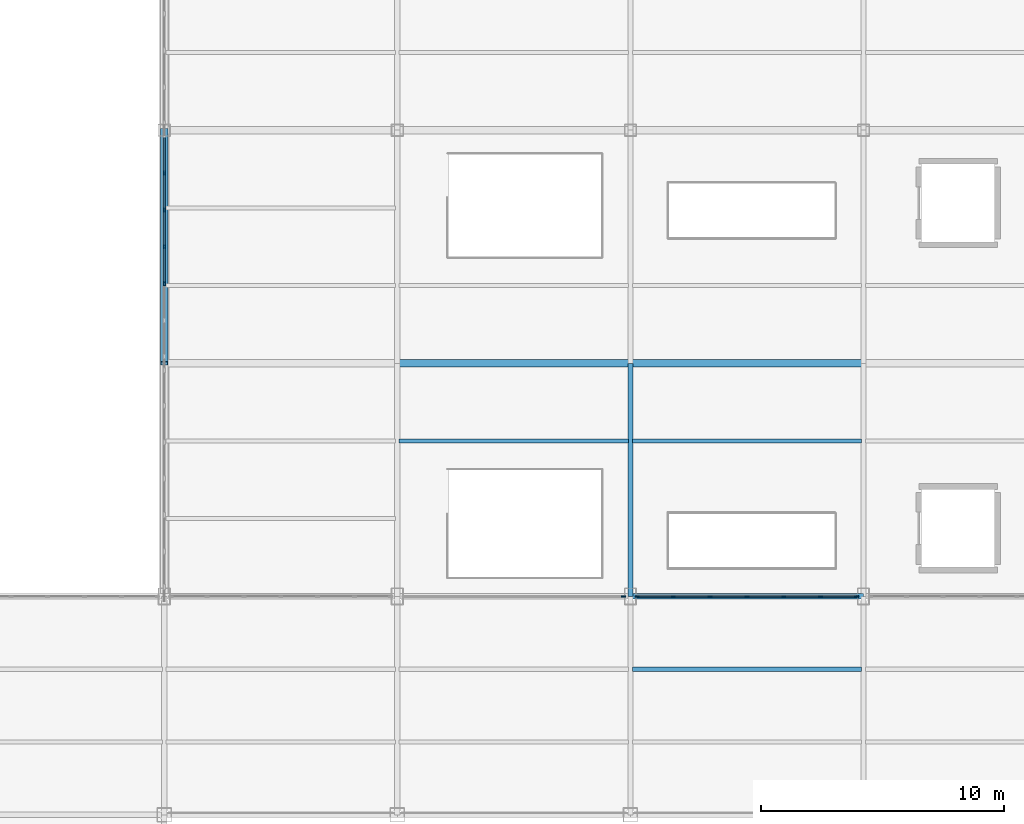
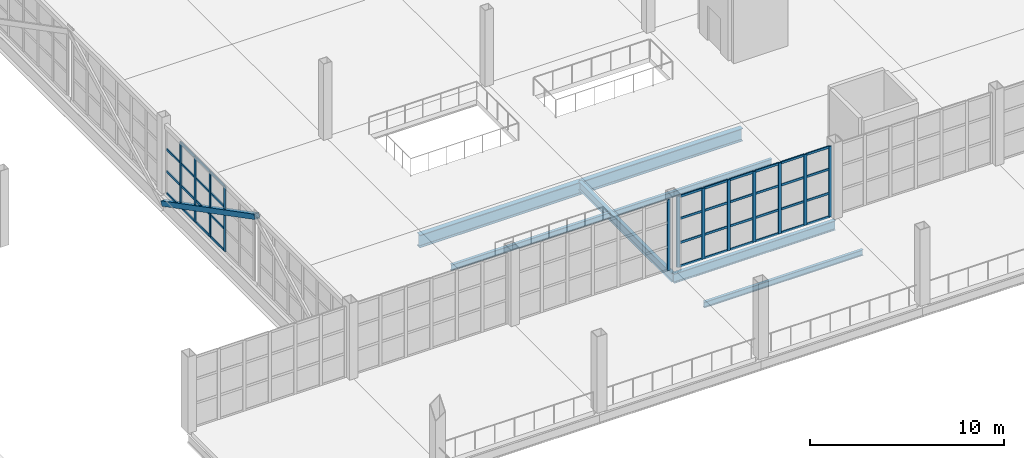
# One storey, part 44 of 120: 52 members, 7 beams, 3 elements without a shape of their own.
"""IFC4 building model written with IfcOpenShell, lengths in metres."""

from ifc_helpers import new_model, si_unit, direction, frame, origin, origin_2d, place, context, subcontext, project, spatial, rectangle, hollow_rectangle, i_section, extrude, material, layer, layer_set, material_profile, profile_set, type_object, element, aggregate, save


model = new_model("IFC4")

# Units and contexts
model_context = context("Model", 3, precision=1e-05, world=origin(), true_north=direction((0.0, 1.0)))
body_context = subcontext(model_context, "Body", "Model", "MODEL_VIEW")
ifc_project = project(units=[si_unit("LENGTHUNIT", "METRE"), si_unit("AREAUNIT", "SQUARE_METRE"), si_unit("VOLUMEUNIT", "CUBIC_METRE"), si_unit("PLANEANGLEUNIT", "RADIAN"), si_unit("MASSUNIT", "GRAM", prefix="KILO")], contexts=[model_context])

# Site, building, storey
site_placement = place(None, origin())
site = spatial("IfcSite", under=ifc_project, at=site_placement, CompositionType="ELEMENT")
building_placement = place(site_placement, origin())
building = spatial("IfcBuilding", under=site, at=building_placement, Name="Zarnetskaya Central Station", CompositionType="ELEMENT")
storey_placement = place(building_placement, frame((0.0, 0.0, 5.39990234375)))
storey = spatial("IfcBuildingStorey", under=building, at=storey_placement, Name="L01", CompositionType="ELEMENT", Elevation=5.39990234375)

# Beams
ifc_material_1 = material(Name="Steel S355", Category="steel")
ifc_material_profile_1 = material_profile(ifc_material_1, i_section(OverallWidth=0.169921875, OverallDepth=0.360107421875, WebThickness=0.008056640625, FlangeThickness=0.0126953125, FilletRadius=0.01806640625, at=origin_2d()), Name="IPE 360")
ifc_profile_set_1 = profile_set([ifc_material_profile_1], Name="Steel S355")
beam_type_1 = type_object("IfcBeamType", Name="BM-SEC-360", PredefinedType="BEAM", material=ifc_profile_set_1)
beam_1_placement = place(storey_placement, frame((86.47998046875, 64.199951171875, -0.4599609375), z_axis=(1.0, 0.0, 0.0), x_axis=(0.0, 1.0, 0.0)))
element("IfcBeam", 1, at=beam_1_placement, inside=storey, type_object=beam_type_1, Name="Secondary floor beam SEC-L01-Z512-KL-89-2", PredefinedType="BEAM", context=body_context, shape_type="SweptSolid", body=[
    extrude(i_section(OverallWidth=0.169921875, OverallDepth=0.360107421875, WebThickness=0.008056640625, FlangeThickness=0.0126953125, FilletRadius=0.01806640625, at=origin_2d()), origin(), (0.0, 0.0, 1.0), 9.43994140625),
])
beam_2_placement = place(storey_placement, frame((76.8798828125, 73.60009765625, -0.4599609375), z_axis=(1.0, 0.0, 0.0), x_axis=(0.0, 1.0, 0.0)))
element("IfcBeam", 2, at=beam_2_placement, inside=storey, type_object=beam_type_1, Name="Secondary floor beam SEC-L01-Z512-JK-910-2", PredefinedType="BEAM", context=body_context, shape_type="SweptSolid", body=[
    extrude(i_section(OverallWidth=0.169921875, OverallDepth=0.360107421875, WebThickness=0.008056640625, FlangeThickness=0.0126953125, FilletRadius=0.01806640625, at=origin_2d()), origin(), (0.0, 0.0, 1.0), 9.440185546875),
])
beam_3_placement = place(storey_placement, frame((86.47998046875, 73.60009765625, -0.4599609375), z_axis=(1.0, 0.0, 0.0), x_axis=(0.0, 1.0, 0.0)))
element("IfcBeam", 3, at=beam_3_placement, inside=storey, type_object=beam_type_1, Name="Secondary floor beam SEC-L01-Z512-KL-910-2", PredefinedType="BEAM", context=body_context, shape_type="SweptSolid", body=[
    extrude(i_section(OverallWidth=0.169921875, OverallDepth=0.360107421875, WebThickness=0.008056640625, FlangeThickness=0.0126953125, FilletRadius=0.01806640625, at=origin_2d()), origin(), (0.0, 0.0, 1.0), 9.43994140625),
])

# Curtain wall, member
ifc_material_2 = material(Name="Low-E insulated glass", Category="glass")
ifc_layer_1 = layer(ifc_material_2, 0.16796875, Name="Low-E insulated glass", Category="glass")
ifc_layer_set_1 = layer_set([ifc_layer_1], Name="Low-E insulated glass")
curtain_wall_type_1 = type_object("IfcCurtainWallType", Name="CW-SYS-13", PredefinedType="USERDEFINED", material=ifc_layer_set_1)
curtain_wall_1_placement = place(storey_placement, origin())
curtain_wall_1 = element("IfcCurtainWall", 4, at=curtain_wall_1_placement, inside=storey, type_object=curtain_wall_type_1, Name="Curtain wall CW-L01-079", ObjectType="CURTAIN WALL", PredefinedType="USERDEFINED")
ifc_material_3 = material(Name="Anodised aluminium", Category="aluminium")
ifc_material_profile_2 = material_profile(ifc_material_3, rectangle(XDim=0.070068359375, YDim=0.179931640625, at=origin_2d()), Name="ALU MULL 70x180")
ifc_profile_set_2 = profile_set([ifc_material_profile_2], Name="Anodised aluminium")
member_type_1 = type_object("IfcMemberType", Name="CW-MULL-180", PredefinedType="MULLION", material=ifc_profile_set_2)
member_1_placement = place(storey_placement, frame((86.114990234375, 67.199951171875, 0.0), z_axis=(0.0, 0.0, 1.0), x_axis=(0.0, 1.0, 0.0)))
member_1 = element("IfcMember", 5, at=member_1_placement, type_object=member_type_1, Name="CW-04 mullion 7", PredefinedType="MULLION", context=body_context, shape_type="SweptSolid", body=[
    extrude(rectangle(XDim=0.070068359375, YDim=0.179931640625, at=origin_2d()), origin(), (0.0, 0.0, 1.0), 4.4501953125),
])
aggregate(curtain_wall_1, [member_1])

# Curtain wall, members
ifc_layer_2 = layer(ifc_material_2, 0.172119140625, Name="Low-E insulated glass", Category="glass")
ifc_layer_set_2 = layer_set([ifc_layer_2], Name="Low-E insulated glass")
curtain_wall_type_2 = type_object("IfcCurtainWallType", Name="CW-SYS-14", PredefinedType="USERDEFINED", material=ifc_layer_set_2)
curtain_wall_2_placement = place(storey_placement, origin())
curtain_wall_2 = element("IfcCurtainWall", 6, at=curtain_wall_2_placement, inside=storey, type_object=curtain_wall_type_2, Name="Curtain wall CW-L01-081", ObjectType="CURTAIN WALL", PredefinedType="USERDEFINED")
member_2_placement = place(storey_placement, frame((86.68505859375, 67.199951171875, 0.0), z_axis=(0.0, 0.0, 1.0), x_axis=(0.0, 1.0, 0.0)))
member_2 = element("IfcMember", 7, at=member_2_placement, type_object=member_type_1, Name="CW-17 mullion 1", PredefinedType="MULLION", context=body_context, shape_type="SweptSolid", body=[
    extrude(rectangle(XDim=0.070068359375, YDim=0.179931640625, at=origin_2d()), origin(), (0.0, 0.0, 1.0), 4.4501953125),
])
member_3_placement = place(storey_placement, frame((88.166748046875, 67.199951171875, 0.0), z_axis=(0.0, 0.0, 1.0), x_axis=(0.0, 1.0, 0.0)))
member_3 = element("IfcMember", 8, at=member_3_placement, type_object=member_type_1, Name="CW-17 mullion 2", PredefinedType="MULLION", context=body_context, shape_type="SweptSolid", body=[
    extrude(rectangle(XDim=0.070068359375, YDim=0.179931640625, at=origin_2d()), origin(), (0.0, 0.0, 1.0), 4.4501953125),
])
member_4_placement = place(storey_placement, frame((89.683349609375, 67.199951171875, 0.0), z_axis=(0.0, 0.0, 1.0), x_axis=(0.0, 1.0, 0.0)))
member_4 = element("IfcMember", 9, at=member_4_placement, type_object=member_type_1, Name="CW-17 mullion 3", PredefinedType="MULLION", context=body_context, shape_type="SweptSolid", body=[
    extrude(rectangle(XDim=0.070068359375, YDim=0.179931640625, at=origin_2d()), origin(), (0.0, 0.0, 1.0), 4.4501953125),
])
member_5_placement = place(storey_placement, frame((91.199951171875, 67.199951171875, 0.0), z_axis=(0.0, 0.0, 1.0), x_axis=(0.0, 1.0, 0.0)))
member_5 = element("IfcMember", 10, at=member_5_placement, type_object=member_type_1, Name="CW-17 mullion 4", PredefinedType="MULLION", context=body_context, shape_type="SweptSolid", body=[
    extrude(rectangle(XDim=0.070068359375, YDim=0.179931640625, at=origin_2d()), origin(), (0.0, 0.0, 1.0), 4.4501953125),
])
member_6_placement = place(storey_placement, frame((92.716552734375, 67.199951171875, 0.0), z_axis=(0.0, 0.0, 1.0), x_axis=(0.0, 1.0, 0.0)))
member_6 = element("IfcMember", 11, at=member_6_placement, type_object=member_type_1, Name="CW-17 mullion 5", PredefinedType="MULLION", context=body_context, shape_type="SweptSolid", body=[
    extrude(rectangle(XDim=0.070068359375, YDim=0.179931640625, at=origin_2d()), origin(), (0.0, 0.0, 1.0), 4.4501953125),
])
member_7_placement = place(storey_placement, frame((94.2333984375, 67.199951171875, 0.0), z_axis=(0.0, 0.0, 1.0), x_axis=(0.0, 1.0, 0.0)))
member_7 = element("IfcMember", 12, at=member_7_placement, type_object=member_type_1, Name="CW-17 mullion 6", PredefinedType="MULLION", context=body_context, shape_type="SweptSolid", body=[
    extrude(rectangle(XDim=0.070068359375, YDim=0.179931640625, at=origin_2d()), origin(), (0.0, 0.0, 1.0), 4.4501953125),
])
member_8_placement = place(storey_placement, frame((95.715087890625, 67.199951171875, 0.0), z_axis=(0.0, 0.0, 1.0), x_axis=(0.0, 1.0, 0.0)))
member_8 = element("IfcMember", 13, at=member_8_placement, type_object=member_type_1, Name="CW-17 mullion 7", PredefinedType="MULLION", context=body_context, shape_type="SweptSolid", body=[
    extrude(rectangle(XDim=0.070068359375, YDim=0.179931640625, at=origin_2d()), origin(), (0.0, 0.0, 1.0), 4.4501953125),
])

ifc_layer_3 = layer(ifc_material_2, 0.172119140625, Name="Low-E insulated glass", Category="glass")
ifc_layer_set_3 = layer_set([ifc_layer_3], Name="Low-E insulated glass")
curtain_wall_type_3 = type_object("IfcCurtainWallType", Name="CW-SYS-09", PredefinedType="USERDEFINED", material=ifc_layer_set_3)
curtain_wall_3_placement = place(storey_placement, origin())
curtain_wall_3 = element("IfcCurtainWall", 14, at=curtain_wall_3_placement, inside=storey, type_object=curtain_wall_type_3, Name="Curtain wall CW-L01-147", ObjectType="CURTAIN WALL", PredefinedType="USERDEFINED")
member_9_placement = place(storey_placement, frame((67.199951171875, 80.083251953125, 0.0), z_axis=(0.0, 0.0, 1.0), x_axis=(-1.0, 0.0, 0.0)))
member_9 = element("IfcMember", 15, at=member_9_placement, type_object=member_type_1, Name="CW-07 mullion 3", PredefinedType="MULLION", context=body_context, shape_type="SweptSolid", body=[
    extrude(rectangle(XDim=0.070068359375, YDim=0.179931640625, at=origin_2d()), origin(), (0.0, 0.0, 1.0), 4.10009765625),
])
member_10_placement = place(storey_placement, frame((67.199951171875, 81.60009765625, 0.0), z_axis=(0.0, 0.0, 1.0), x_axis=(-1.0, 0.0, 0.0)))
member_10 = element("IfcMember", 16, at=member_10_placement, type_object=member_type_1, Name="CW-07 mullion 4", PredefinedType="MULLION", context=body_context, shape_type="SweptSolid", body=[
    extrude(rectangle(XDim=0.070068359375, YDim=0.179931640625, at=origin_2d()), origin(), (0.0, 0.0, 1.0), 4.10009765625),
])
member_11_placement = place(storey_placement, frame((67.199951171875, 83.11669921875, 0.0), z_axis=(0.0, 0.0, 1.0), x_axis=(-1.0, 0.0, 0.0)))
member_11 = element("IfcMember", 17, at=member_11_placement, type_object=member_type_1, Name="CW-07 mullion 5", PredefinedType="MULLION", context=body_context, shape_type="SweptSolid", body=[
    extrude(rectangle(XDim=0.070068359375, YDim=0.179931640625, at=origin_2d()), origin(), (0.0, 0.0, 1.0), 4.10009765625),
])
member_12_placement = place(storey_placement, frame((67.199951171875, 84.63330078125, 0.0), z_axis=(0.0, 0.0, 1.0), x_axis=(-1.0, 0.0, 0.0)))
member_12 = element("IfcMember", 18, at=member_12_placement, type_object=member_type_1, Name="CW-07 mullion 6", PredefinedType="MULLION", context=body_context, shape_type="SweptSolid", body=[
    extrude(rectangle(XDim=0.070068359375, YDim=0.179931640625, at=origin_2d()), origin(), (0.0, 0.0, 1.0), 4.10009765625),
])

# Member
ifc_material_profile_3 = material_profile(ifc_material_3, rectangle(XDim=0.070068359375, YDim=0.139892578125, at=origin_2d()), Name="ALU TRAN 70x140")
ifc_profile_set_3 = profile_set([ifc_material_profile_3], Name="Anodised aluminium")
member_type_2 = type_object("IfcMemberType", Name="CW-TRAN-140", PredefinedType="USERDEFINED", material=ifc_profile_set_3)
member_13_placement = place(storey_placement, frame((86.719970703125, 67.199951171875, 0.03515625), z_axis=(1.0, 0.0, 0.0), x_axis=(0.0, 1.0, 0.0)))
member_13 = element("IfcMember", 19, at=member_13_placement, type_object=member_type_2, Name="CW-17 transom 1.1", ObjectType="TRANSOM", PredefinedType="USERDEFINED", context=body_context, shape_type="SweptSolid", body=[
    extrude(rectangle(XDim=0.070068359375, YDim=0.139892578125, at=origin_2d()), origin(), (0.0, 0.0, 1.0), 1.41162109375),
])

member_14_placement = place(storey_placement, frame((86.719970703125, 67.199951171875, 1.51318359375), z_axis=(1.0, 0.0, 0.0), x_axis=(0.0, 1.0, 0.0)))
member_14 = element("IfcMember", 20, at=member_14_placement, type_object=member_type_2, Name="CW-17 transom 1.2", ObjectType="TRANSOM", PredefinedType="USERDEFINED", context=body_context, shape_type="SweptSolid", body=[
    extrude(rectangle(XDim=0.070068359375, YDim=0.139892578125, at=origin_2d()), origin(), (0.0, 0.0, 1.0), 1.41162109375),
])

member_15_placement = place(storey_placement, frame((86.719970703125, 67.199951171875, 3.026123046875), z_axis=(1.0, 0.0, 0.0), x_axis=(0.0, 1.0, 0.0)))
member_15 = element("IfcMember", 21, at=member_15_placement, type_object=member_type_2, Name="CW-17 transom 1.3", ObjectType="TRANSOM", PredefinedType="USERDEFINED", context=body_context, shape_type="SweptSolid", body=[
    extrude(rectangle(XDim=0.070068359375, YDim=0.139892578125, at=origin_2d()), origin(), (0.0, 0.0, 1.0), 1.41162109375),
])

member_16_placement = place(storey_placement, frame((86.719970703125, 67.199951171875, 4.4150390625), z_axis=(1.0, 0.0, 0.0), x_axis=(0.0, 1.0, 0.0)))
member_16 = element("IfcMember", 22, at=member_16_placement, type_object=member_type_2, Name="CW-17 transom 1.4", ObjectType="TRANSOM", PredefinedType="USERDEFINED", context=body_context, shape_type="SweptSolid", body=[
    extrude(rectangle(XDim=0.070068359375, YDim=0.139892578125, at=origin_2d()), origin(), (0.0, 0.0, 1.0), 1.41162109375),
])

member_17_placement = place(storey_placement, frame((88.20166015625, 67.199951171875, 0.03515625), z_axis=(1.0, 0.0, 0.0), x_axis=(0.0, 1.0, 0.0)))
member_17 = element("IfcMember", 23, at=member_17_placement, type_object=member_type_2, Name="CW-17 transom 2.1", ObjectType="TRANSOM", PredefinedType="USERDEFINED", context=body_context, shape_type="SweptSolid", body=[
    extrude(rectangle(XDim=0.070068359375, YDim=0.139892578125, at=origin_2d()), origin(), (0.0, 0.0, 1.0), 1.44677734375),
])

member_18_placement = place(storey_placement, frame((88.20166015625, 67.199951171875, 1.51318359375), z_axis=(1.0, 0.0, 0.0), x_axis=(0.0, 1.0, 0.0)))
member_18 = element("IfcMember", 24, at=member_18_placement, type_object=member_type_2, Name="CW-17 transom 2.2", ObjectType="TRANSOM", PredefinedType="USERDEFINED", context=body_context, shape_type="SweptSolid", body=[
    extrude(rectangle(XDim=0.070068359375, YDim=0.139892578125, at=origin_2d()), origin(), (0.0, 0.0, 1.0), 1.44677734375),
])

member_19_placement = place(storey_placement, frame((88.20166015625, 67.199951171875, 3.026123046875), z_axis=(1.0, 0.0, 0.0), x_axis=(0.0, 1.0, 0.0)))
member_19 = element("IfcMember", 25, at=member_19_placement, type_object=member_type_2, Name="CW-17 transom 2.3", ObjectType="TRANSOM", PredefinedType="USERDEFINED", context=body_context, shape_type="SweptSolid", body=[
    extrude(rectangle(XDim=0.070068359375, YDim=0.139892578125, at=origin_2d()), origin(), (0.0, 0.0, 1.0), 1.44677734375),
])

member_20_placement = place(storey_placement, frame((88.20166015625, 67.199951171875, 4.4150390625), z_axis=(1.0, 0.0, 0.0), x_axis=(0.0, 1.0, 0.0)))
member_20 = element("IfcMember", 26, at=member_20_placement, type_object=member_type_2, Name="CW-17 transom 2.4", ObjectType="TRANSOM", PredefinedType="USERDEFINED", context=body_context, shape_type="SweptSolid", body=[
    extrude(rectangle(XDim=0.070068359375, YDim=0.139892578125, at=origin_2d()), origin(), (0.0, 0.0, 1.0), 1.44677734375),
])

member_21_placement = place(storey_placement, frame((89.71826171875, 67.199951171875, 0.03515625), z_axis=(1.0, 0.0, 0.0), x_axis=(0.0, 1.0, 0.0)))
member_21 = element("IfcMember", 27, at=member_21_placement, type_object=member_type_2, Name="CW-17 transom 3.1", ObjectType="TRANSOM", PredefinedType="USERDEFINED", context=body_context, shape_type="SweptSolid", body=[
    extrude(rectangle(XDim=0.070068359375, YDim=0.139892578125, at=origin_2d()), origin(), (0.0, 0.0, 1.0), 1.44677734375),
])

member_22_placement = place(storey_placement, frame((89.71826171875, 67.199951171875, 1.51318359375), z_axis=(1.0, 0.0, 0.0), x_axis=(0.0, 1.0, 0.0)))
member_22 = element("IfcMember", 28, at=member_22_placement, type_object=member_type_2, Name="CW-17 transom 3.2", ObjectType="TRANSOM", PredefinedType="USERDEFINED", context=body_context, shape_type="SweptSolid", body=[
    extrude(rectangle(XDim=0.070068359375, YDim=0.139892578125, at=origin_2d()), origin(), (0.0, 0.0, 1.0), 1.44677734375),
])

member_23_placement = place(storey_placement, frame((89.71826171875, 67.199951171875, 3.026123046875), z_axis=(1.0, 0.0, 0.0), x_axis=(0.0, 1.0, 0.0)))
member_23 = element("IfcMember", 29, at=member_23_placement, type_object=member_type_2, Name="CW-17 transom 3.3", ObjectType="TRANSOM", PredefinedType="USERDEFINED", context=body_context, shape_type="SweptSolid", body=[
    extrude(rectangle(XDim=0.070068359375, YDim=0.139892578125, at=origin_2d()), origin(), (0.0, 0.0, 1.0), 1.44677734375),
])

member_24_placement = place(storey_placement, frame((89.71826171875, 67.199951171875, 4.4150390625), z_axis=(1.0, 0.0, 0.0), x_axis=(0.0, 1.0, 0.0)))
member_24 = element("IfcMember", 30, at=member_24_placement, type_object=member_type_2, Name="CW-17 transom 3.4", ObjectType="TRANSOM", PredefinedType="USERDEFINED", context=body_context, shape_type="SweptSolid", body=[
    extrude(rectangle(XDim=0.070068359375, YDim=0.139892578125, at=origin_2d()), origin(), (0.0, 0.0, 1.0), 1.44677734375),
])

member_25_placement = place(storey_placement, frame((91.235107421875, 67.199951171875, 0.03515625), z_axis=(1.0, 0.0, 0.0), x_axis=(0.0, 1.0, 0.0)))
member_25 = element("IfcMember", 31, at=member_25_placement, type_object=member_type_2, Name="CW-17 transom 4.1", ObjectType="TRANSOM", PredefinedType="USERDEFINED", context=body_context, shape_type="SweptSolid", body=[
    extrude(rectangle(XDim=0.070068359375, YDim=0.139892578125, at=origin_2d()), origin(), (0.0, 0.0, 1.0), 1.446533203125),
])

member_26_placement = place(storey_placement, frame((91.235107421875, 67.199951171875, 1.51318359375), z_axis=(1.0, 0.0, 0.0), x_axis=(0.0, 1.0, 0.0)))
member_26 = element("IfcMember", 32, at=member_26_placement, type_object=member_type_2, Name="CW-17 transom 4.2", ObjectType="TRANSOM", PredefinedType="USERDEFINED", context=body_context, shape_type="SweptSolid", body=[
    extrude(rectangle(XDim=0.070068359375, YDim=0.139892578125, at=origin_2d()), origin(), (0.0, 0.0, 1.0), 1.446533203125),
])

member_27_placement = place(storey_placement, frame((91.235107421875, 67.199951171875, 3.026123046875), z_axis=(1.0, 0.0, 0.0), x_axis=(0.0, 1.0, 0.0)))
member_27 = element("IfcMember", 33, at=member_27_placement, type_object=member_type_2, Name="CW-17 transom 4.3", ObjectType="TRANSOM", PredefinedType="USERDEFINED", context=body_context, shape_type="SweptSolid", body=[
    extrude(rectangle(XDim=0.070068359375, YDim=0.139892578125, at=origin_2d()), origin(), (0.0, 0.0, 1.0), 1.446533203125),
])

member_28_placement = place(storey_placement, frame((91.235107421875, 67.199951171875, 4.4150390625), z_axis=(1.0, 0.0, 0.0), x_axis=(0.0, 1.0, 0.0)))
member_28 = element("IfcMember", 34, at=member_28_placement, type_object=member_type_2, Name="CW-17 transom 4.4", ObjectType="TRANSOM", PredefinedType="USERDEFINED", context=body_context, shape_type="SweptSolid", body=[
    extrude(rectangle(XDim=0.070068359375, YDim=0.139892578125, at=origin_2d()), origin(), (0.0, 0.0, 1.0), 1.446533203125),
])

member_29_placement = place(storey_placement, frame((92.751708984375, 67.199951171875, 0.03515625), z_axis=(1.0, 0.0, 0.0), x_axis=(0.0, 1.0, 0.0)))
member_29 = element("IfcMember", 35, at=member_29_placement, type_object=member_type_2, Name="CW-17 transom 5.1", ObjectType="TRANSOM", PredefinedType="USERDEFINED", context=body_context, shape_type="SweptSolid", body=[
    extrude(rectangle(XDim=0.070068359375, YDim=0.139892578125, at=origin_2d()), origin(), (0.0, 0.0, 1.0), 1.446533203125),
])

member_30_placement = place(storey_placement, frame((92.751708984375, 67.199951171875, 1.51318359375), z_axis=(1.0, 0.0, 0.0), x_axis=(0.0, 1.0, 0.0)))
member_30 = element("IfcMember", 36, at=member_30_placement, type_object=member_type_2, Name="CW-17 transom 5.2", ObjectType="TRANSOM", PredefinedType="USERDEFINED", context=body_context, shape_type="SweptSolid", body=[
    extrude(rectangle(XDim=0.070068359375, YDim=0.139892578125, at=origin_2d()), origin(), (0.0, 0.0, 1.0), 1.446533203125),
])

member_31_placement = place(storey_placement, frame((92.751708984375, 67.199951171875, 3.026123046875), z_axis=(1.0, 0.0, 0.0), x_axis=(0.0, 1.0, 0.0)))
member_31 = element("IfcMember", 37, at=member_31_placement, type_object=member_type_2, Name="CW-17 transom 5.3", ObjectType="TRANSOM", PredefinedType="USERDEFINED", context=body_context, shape_type="SweptSolid", body=[
    extrude(rectangle(XDim=0.070068359375, YDim=0.139892578125, at=origin_2d()), origin(), (0.0, 0.0, 1.0), 1.446533203125),
])

member_32_placement = place(storey_placement, frame((92.751708984375, 67.199951171875, 4.4150390625), z_axis=(1.0, 0.0, 0.0), x_axis=(0.0, 1.0, 0.0)))
member_32 = element("IfcMember", 38, at=member_32_placement, type_object=member_type_2, Name="CW-17 transom 5.4", ObjectType="TRANSOM", PredefinedType="USERDEFINED", context=body_context, shape_type="SweptSolid", body=[
    extrude(rectangle(XDim=0.070068359375, YDim=0.139892578125, at=origin_2d()), origin(), (0.0, 0.0, 1.0), 1.446533203125),
])

member_33_placement = place(storey_placement, frame((94.268310546875, 67.199951171875, 0.03515625), z_axis=(1.0, 0.0, 0.0), x_axis=(0.0, 1.0, 0.0)))
member_33 = element("IfcMember", 39, at=member_33_placement, type_object=member_type_2, Name="CW-17 transom 6.1", ObjectType="TRANSOM", PredefinedType="USERDEFINED", context=body_context, shape_type="SweptSolid", body=[
    extrude(rectangle(XDim=0.070068359375, YDim=0.139892578125, at=origin_2d()), origin(), (0.0, 0.0, 1.0), 1.41162109375),
])

member_34_placement = place(storey_placement, frame((94.268310546875, 67.199951171875, 1.51318359375), z_axis=(1.0, 0.0, 0.0), x_axis=(0.0, 1.0, 0.0)))
member_34 = element("IfcMember", 40, at=member_34_placement, type_object=member_type_2, Name="CW-17 transom 6.2", ObjectType="TRANSOM", PredefinedType="USERDEFINED", context=body_context, shape_type="SweptSolid", body=[
    extrude(rectangle(XDim=0.070068359375, YDim=0.139892578125, at=origin_2d()), origin(), (0.0, 0.0, 1.0), 1.41162109375),
])

member_35_placement = place(storey_placement, frame((94.268310546875, 67.199951171875, 3.026123046875), z_axis=(1.0, 0.0, 0.0), x_axis=(0.0, 1.0, 0.0)))
member_35 = element("IfcMember", 41, at=member_35_placement, type_object=member_type_2, Name="CW-17 transom 6.3", ObjectType="TRANSOM", PredefinedType="USERDEFINED", context=body_context, shape_type="SweptSolid", body=[
    extrude(rectangle(XDim=0.070068359375, YDim=0.139892578125, at=origin_2d()), origin(), (0.0, 0.0, 1.0), 1.41162109375),
])

member_36_placement = place(storey_placement, frame((94.268310546875, 67.199951171875, 4.4150390625), z_axis=(1.0, 0.0, 0.0), x_axis=(0.0, 1.0, 0.0)))
member_36 = element("IfcMember", 42, at=member_36_placement, type_object=member_type_2, Name="CW-17 transom 6.4", ObjectType="TRANSOM", PredefinedType="USERDEFINED", context=body_context, shape_type="SweptSolid", body=[
    extrude(rectangle(XDim=0.070068359375, YDim=0.139892578125, at=origin_2d()), origin(), (0.0, 0.0, 1.0), 1.41162109375),
])

aggregate(curtain_wall_2, [member_2, member_3, member_4, member_5, member_6, member_7, member_8, member_13, member_14, member_15, member_16, member_17, member_18, member_19, member_20, member_21, member_22, member_23, member_24, member_25, member_26, member_27, member_28, member_29, member_30, member_31, member_32, member_33, member_34, member_35, member_36])

member_37_placement = place(storey_placement, frame((67.199951171875, 80.118408203125, 0.03515625), z_axis=(0.0, 1.0, 0.0), x_axis=(-1.0, 0.0, 0.0)))
member_37 = element("IfcMember", 43, at=member_37_placement, type_object=member_type_2, Name="CW-07 transom 3.1", ObjectType="TRANSOM", PredefinedType="USERDEFINED", context=body_context, shape_type="SweptSolid", body=[
    extrude(rectangle(XDim=0.070068359375, YDim=0.139892578125, at=origin_2d()), origin(), (0.0, 0.0, 1.0), 1.446533203125),
])

member_38_placement = place(storey_placement, frame((67.199951171875, 80.118408203125, 1.39404296875), z_axis=(0.0, 1.0, 0.0), x_axis=(-1.0, 0.0, 0.0)))
member_38 = element("IfcMember", 44, at=member_38_placement, type_object=member_type_2, Name="CW-07 transom 3.2", ObjectType="TRANSOM", PredefinedType="USERDEFINED", context=body_context, shape_type="SweptSolid", body=[
    extrude(rectangle(XDim=0.070068359375, YDim=0.139892578125, at=origin_2d()), origin(), (0.0, 0.0, 1.0), 1.446533203125),
])

member_39_placement = place(storey_placement, frame((67.199951171875, 80.118408203125, 2.7880859375), z_axis=(0.0, 1.0, 0.0), x_axis=(-1.0, 0.0, 0.0)))
member_39 = element("IfcMember", 45, at=member_39_placement, type_object=member_type_2, Name="CW-07 transom 3.3", ObjectType="TRANSOM", PredefinedType="USERDEFINED", context=body_context, shape_type="SweptSolid", body=[
    extrude(rectangle(XDim=0.070068359375, YDim=0.139892578125, at=origin_2d()), origin(), (0.0, 0.0, 1.0), 1.446533203125),
])

member_40_placement = place(storey_placement, frame((67.199951171875, 80.118408203125, 4.065185546875), z_axis=(0.0, 1.0, 0.0), x_axis=(-1.0, 0.0, 0.0)))
member_40 = element("IfcMember", 46, at=member_40_placement, type_object=member_type_2, Name="CW-07 transom 3.4", ObjectType="TRANSOM", PredefinedType="USERDEFINED", context=body_context, shape_type="SweptSolid", body=[
    extrude(rectangle(XDim=0.070068359375, YDim=0.139892578125, at=origin_2d()), origin(), (0.0, 0.0, 1.0), 1.446533203125),
])

member_41_placement = place(storey_placement, frame((67.199951171875, 81.635009765625, 0.03515625), z_axis=(0.0, 1.0, 0.0), x_axis=(-1.0, 0.0, 0.0)))
member_41 = element("IfcMember", 47, at=member_41_placement, type_object=member_type_2, Name="CW-07 transom 4.1", ObjectType="TRANSOM", PredefinedType="USERDEFINED", context=body_context, shape_type="SweptSolid", body=[
    extrude(rectangle(XDim=0.070068359375, YDim=0.139892578125, at=origin_2d()), origin(), (0.0, 0.0, 1.0), 1.44677734375),
])

member_42_placement = place(storey_placement, frame((67.199951171875, 81.635009765625, 1.39404296875), z_axis=(0.0, 1.0, 0.0), x_axis=(-1.0, 0.0, 0.0)))
member_42 = element("IfcMember", 48, at=member_42_placement, type_object=member_type_2, Name="CW-07 transom 4.2", ObjectType="TRANSOM", PredefinedType="USERDEFINED", context=body_context, shape_type="SweptSolid", body=[
    extrude(rectangle(XDim=0.070068359375, YDim=0.139892578125, at=origin_2d()), origin(), (0.0, 0.0, 1.0), 1.44677734375),
])

member_43_placement = place(storey_placement, frame((67.199951171875, 81.635009765625, 2.7880859375), z_axis=(0.0, 1.0, 0.0), x_axis=(-1.0, 0.0, 0.0)))
member_43 = element("IfcMember", 49, at=member_43_placement, type_object=member_type_2, Name="CW-07 transom 4.3", ObjectType="TRANSOM", PredefinedType="USERDEFINED", context=body_context, shape_type="SweptSolid", body=[
    extrude(rectangle(XDim=0.070068359375, YDim=0.139892578125, at=origin_2d()), origin(), (0.0, 0.0, 1.0), 1.44677734375),
])

member_44_placement = place(storey_placement, frame((67.199951171875, 81.635009765625, 4.065185546875), z_axis=(0.0, 1.0, 0.0), x_axis=(-1.0, 0.0, 0.0)))
member_44 = element("IfcMember", 50, at=member_44_placement, type_object=member_type_2, Name="CW-07 transom 4.4", ObjectType="TRANSOM", PredefinedType="USERDEFINED", context=body_context, shape_type="SweptSolid", body=[
    extrude(rectangle(XDim=0.070068359375, YDim=0.139892578125, at=origin_2d()), origin(), (0.0, 0.0, 1.0), 1.44677734375),
])

member_45_placement = place(storey_placement, frame((67.199951171875, 83.151611328125, 0.03515625), z_axis=(0.0, 1.0, 0.0), x_axis=(-1.0, 0.0, 0.0)))
member_45 = element("IfcMember", 51, at=member_45_placement, type_object=member_type_2, Name="CW-07 transom 5.1", ObjectType="TRANSOM", PredefinedType="USERDEFINED", context=body_context, shape_type="SweptSolid", body=[
    extrude(rectangle(XDim=0.070068359375, YDim=0.139892578125, at=origin_2d()), origin(), (0.0, 0.0, 1.0), 1.44677734375),
])

member_46_placement = place(storey_placement, frame((67.199951171875, 83.151611328125, 1.39404296875), z_axis=(0.0, 1.0, 0.0), x_axis=(-1.0, 0.0, 0.0)))
member_46 = element("IfcMember", 52, at=member_46_placement, type_object=member_type_2, Name="CW-07 transom 5.2", ObjectType="TRANSOM", PredefinedType="USERDEFINED", context=body_context, shape_type="SweptSolid", body=[
    extrude(rectangle(XDim=0.070068359375, YDim=0.139892578125, at=origin_2d()), origin(), (0.0, 0.0, 1.0), 1.44677734375),
])

member_47_placement = place(storey_placement, frame((67.199951171875, 83.151611328125, 2.7880859375), z_axis=(0.0, 1.0, 0.0), x_axis=(-1.0, 0.0, 0.0)))
member_47 = element("IfcMember", 53, at=member_47_placement, type_object=member_type_2, Name="CW-07 transom 5.3", ObjectType="TRANSOM", PredefinedType="USERDEFINED", context=body_context, shape_type="SweptSolid", body=[
    extrude(rectangle(XDim=0.070068359375, YDim=0.139892578125, at=origin_2d()), origin(), (0.0, 0.0, 1.0), 1.44677734375),
])

member_48_placement = place(storey_placement, frame((67.199951171875, 83.151611328125, 4.065185546875), z_axis=(0.0, 1.0, 0.0), x_axis=(-1.0, 0.0, 0.0)))
member_48 = element("IfcMember", 54, at=member_48_placement, type_object=member_type_2, Name="CW-07 transom 5.4", ObjectType="TRANSOM", PredefinedType="USERDEFINED", context=body_context, shape_type="SweptSolid", body=[
    extrude(rectangle(XDim=0.070068359375, YDim=0.139892578125, at=origin_2d()), origin(), (0.0, 0.0, 1.0), 1.44677734375),
])

member_49_placement = place(storey_placement, frame((67.199951171875, 84.668212890625, 0.03515625), z_axis=(0.0, 1.0, 0.0), x_axis=(-1.0, 0.0, 0.0)))
member_49 = element("IfcMember", 55, at=member_49_placement, type_object=member_type_2, Name="CW-07 transom 6.1", ObjectType="TRANSOM", PredefinedType="USERDEFINED", context=body_context, shape_type="SweptSolid", body=[
    extrude(rectangle(XDim=0.070068359375, YDim=0.139892578125, at=origin_2d()), origin(), (0.0, 0.0, 1.0), 1.411865234375),
])

member_50_placement = place(storey_placement, frame((67.199951171875, 84.668212890625, 1.39404296875), z_axis=(0.0, 1.0, 0.0), x_axis=(-1.0, 0.0, 0.0)))
member_50 = element("IfcMember", 56, at=member_50_placement, type_object=member_type_2, Name="CW-07 transom 6.2", ObjectType="TRANSOM", PredefinedType="USERDEFINED", context=body_context, shape_type="SweptSolid", body=[
    extrude(rectangle(XDim=0.070068359375, YDim=0.139892578125, at=origin_2d()), origin(), (0.0, 0.0, 1.0), 1.411865234375),
])

member_51_placement = place(storey_placement, frame((67.199951171875, 84.668212890625, 2.7880859375), z_axis=(0.0, 1.0, 0.0), x_axis=(-1.0, 0.0, 0.0)))
member_51 = element("IfcMember", 57, at=member_51_placement, type_object=member_type_2, Name="CW-07 transom 6.3", ObjectType="TRANSOM", PredefinedType="USERDEFINED", context=body_context, shape_type="SweptSolid", body=[
    extrude(rectangle(XDim=0.070068359375, YDim=0.139892578125, at=origin_2d()), origin(), (0.0, 0.0, 1.0), 1.411865234375),
])

aggregate(curtain_wall_3, [member_9, member_10, member_11, member_12, member_37, member_38, member_39, member_40, member_41, member_42, member_43, member_44, member_45, member_46, member_47, member_48, member_49, member_50, member_51])

# Beams
ifc_material_profile_4 = material_profile(ifc_material_1, i_section(OverallWidth=0.300048828125, OverallDepth=0.800048828125, WebThickness=0.017578125, FlangeThickness=0.032958984375, FilletRadius=0.030029296875, at=origin_2d()), Name="HEB 800")
ifc_profile_set_4 = profile_set([ifc_material_profile_4], Name="Steel S355")
beam_type_2 = type_object("IfcBeamType", Name="GD-BRG-800", PredefinedType="USERDEFINED", material=ifc_profile_set_4)
beam_4_placement = place(storey_placement, frame((76.800048828125, 76.800048828125, -0.679931640625), z_axis=(1.0, 0.0, 0.0), x_axis=(0.0, 1.0, 0.0)))
element("IfcBeam", 58, at=beam_4_placement, inside=storey, type_object=beam_type_2, Name="Grid girder GX-L01-10-JK", ObjectType="GIRDER", PredefinedType="USERDEFINED", context=body_context, shape_type="SweptSolid", body=[
    extrude(i_section(OverallWidth=0.300048828125, OverallDepth=0.800048828125, WebThickness=0.017578125, FlangeThickness=0.032958984375, FilletRadius=0.030029296875, at=origin_2d()), origin(), (0.0, 0.0, 1.0), 9.599853515625),
])
beam_5_placement = place(storey_placement, frame((86.39990234375, 76.800048828125, -0.679931640625), z_axis=(1.0, 0.0, 0.0), x_axis=(0.0, 1.0, 0.0)))
element("IfcBeam", 59, at=beam_5_placement, inside=storey, type_object=beam_type_2, Name="Grid girder GX-L01-10-KL", ObjectType="GIRDER", PredefinedType="USERDEFINED", context=body_context, shape_type="SweptSolid", body=[
    extrude(i_section(OverallWidth=0.300048828125, OverallDepth=0.800048828125, WebThickness=0.017578125, FlangeThickness=0.032958984375, FilletRadius=0.030029296875, at=origin_2d()), origin(), (0.0, 0.0, 1.0), 9.60009765625),
])
ifc_material_profile_5 = material_profile(ifc_material_1, i_section(OverallWidth=0.2099609375, OverallDepth=0.550048828125, WebThickness=0.010986328125, FlangeThickness=0.01708984375, FilletRadius=0.02392578125, at=origin_2d()), Name="IPE 550")
ifc_profile_set_5 = profile_set([ifc_material_profile_5], Name="Steel S355")
beam_type_3 = type_object("IfcBeamType", Name="GD-FLR-550", PredefinedType="USERDEFINED", material=ifc_profile_set_5)
beam_6_placement = place(storey_placement, frame((86.39990234375, 67.199951171875, -0.554931640625), z_axis=(0.0, 1.0, 0.0), x_axis=(-1.0, 0.0, 0.0)))
element("IfcBeam", 60, at=beam_6_placement, inside=storey, type_object=beam_type_3, Name="Grid girder GY-L01-K-910", ObjectType="GIRDER", PredefinedType="USERDEFINED", context=body_context, shape_type="SweptSolid", body=[
    extrude(i_section(OverallWidth=0.2099609375, OverallDepth=0.550048828125, WebThickness=0.010986328125, FlangeThickness=0.01708984375, FilletRadius=0.02392578125, at=origin_2d()), origin(), (0.0, 0.0, 1.0), 9.60009765625),
])
ifc_material_profile_6 = material_profile(ifc_material_1, i_section(OverallWidth=0.219970703125, OverallDepth=0.60009765625, WebThickness=0.011962890625, FlangeThickness=0.01904296875, FilletRadius=0.02392578125, at=origin_2d()), Name="IPE 600")
ifc_profile_set_6 = profile_set([ifc_material_profile_6], Name="Steel S355")
beam_type_4 = type_object("IfcBeamType", Name="GD-FLR-600", PredefinedType="USERDEFINED", material=ifc_profile_set_6)
beam_7_placement = place(storey_placement, frame((86.39990234375, 67.199951171875, -0.579833984375), z_axis=(1.0, 0.0, 0.0), x_axis=(0.0, 1.0, 0.0)))
element("IfcBeam", 61, at=beam_7_placement, inside=storey, type_object=beam_type_4, Name="Grid girder GX-L01-9-KL", ObjectType="GIRDER", PredefinedType="USERDEFINED", context=body_context, shape_type="SweptSolid", body=[
    extrude(i_section(OverallWidth=0.219970703125, OverallDepth=0.60009765625, WebThickness=0.011962890625, FlangeThickness=0.01904296875, FilletRadius=0.02392578125, at=origin_2d()), origin(), (0.0, 0.0, 1.0), 9.60009765625),
])

# Member
ifc_material_profile_7 = material_profile(ifc_material_1, hollow_rectangle(XDim=0.300048828125, YDim=0.300048828125, WallThickness=0.01611328125, at=origin_2d()), Name="SHS 300x300x16")
ifc_profile_set_7 = profile_set([ifc_material_profile_7], Name="Steel S355")
member_type_3 = type_object("IfcMemberType", Name="MB-XFER-DIAG", PredefinedType="BRACE", material=ifc_profile_set_7)
member_52_placement = place(storey_placement, frame((67.199951171875, 86.39990234375, -0.77978515625), z_axis=(0.0, -0.887668413955, 0.460483210189), x_axis=(1.0, 0.0, 0.0)))
element("IfcMember", 62, at=member_52_placement, inside=storey, type_object=member_type_3, Name="Transfer truss H 9-11 diagonal 2", PredefinedType="BRACE", context=body_context, shape_type="SweptSolid", body=[
    extrude(hollow_rectangle(XDim=0.300048828125, YDim=0.300048828125, WallThickness=0.01611328125, at=origin_2d()), origin(), (0.0, 0.0, 1.0), 10.814697265625),
])

save(model, "model.ifc")
